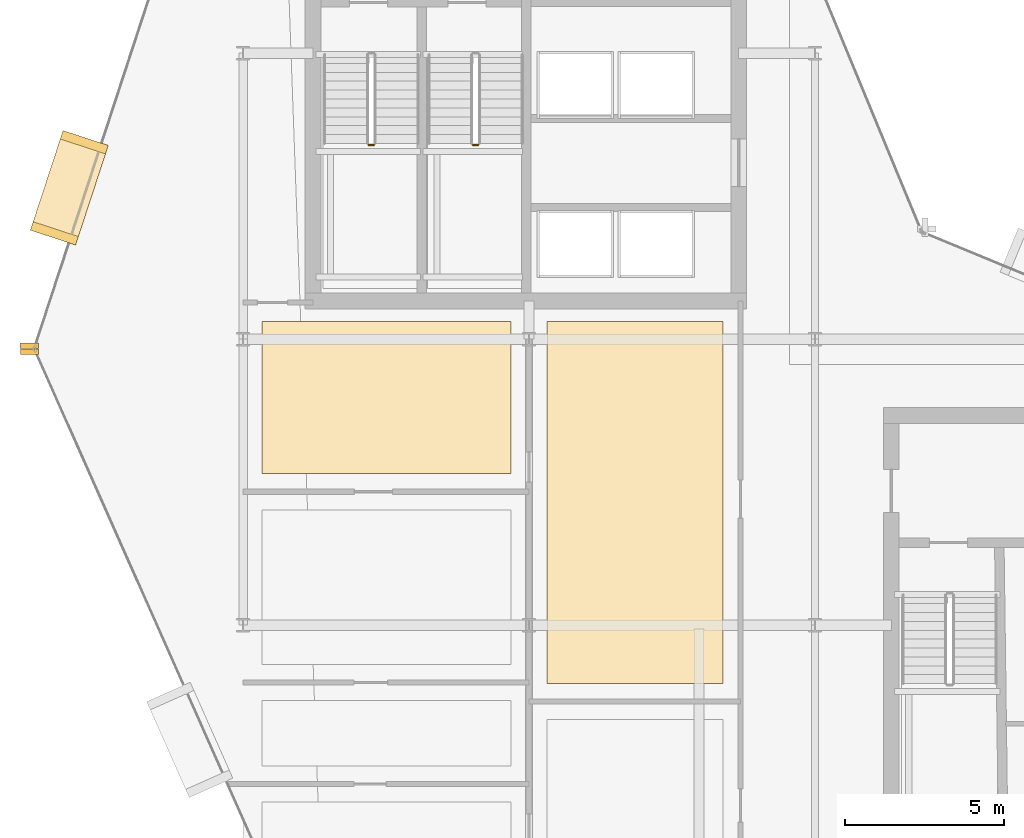
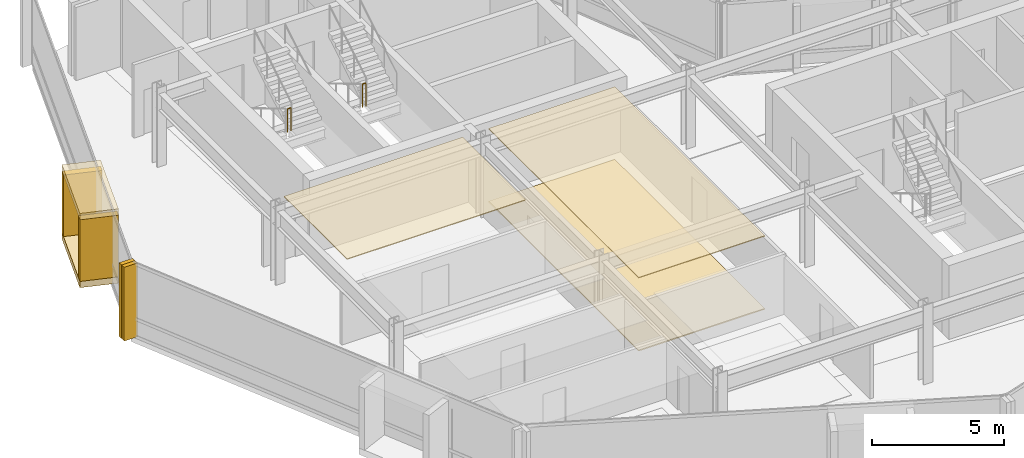
# One storey, part 23 of 27: 9 coverings, 2 railings.
"""IFC4 building model written with IfcOpenShell, lengths in metres."""

from ifc_helpers import new_model, si_unit, direction, frame, origin, origin_2d, place, context, subcontext, project, spatial, polyline, rectangle, circle, outline, extrude, material, layer, layer_set, type_object, element, save


model = new_model("IFC4")

# Units and contexts
model_context = context("Model", 3, precision=1e-05, world=origin(), true_north=direction((0.0, 1.0)))
body_context = subcontext(model_context, "Body", "Model", "MODEL_VIEW")
ifc_project = project(units=[si_unit("LENGTHUNIT", "METRE"), si_unit("AREAUNIT", "SQUARE_METRE"), si_unit("VOLUMEUNIT", "CUBIC_METRE"), si_unit("PLANEANGLEUNIT", "RADIAN"), si_unit("MASSUNIT", "GRAM", prefix="KILO")], contexts=[model_context])

# Site, building, storey
site_placement = place(None, origin())
site = spatial("IfcSite", under=ifc_project, at=site_placement, CompositionType="ELEMENT")
building_placement = place(site_placement, origin())
building = spatial("IfcBuilding", under=site, at=building_placement, Name="Solvaryn Broadcast Tower", CompositionType="ELEMENT")
storey_placement = place(building_placement, frame((0.0, 0.0, 185.300048828125)))
storey = spatial("IfcBuildingStorey", under=building, at=storey_placement, Name="L46", CompositionType="ELEMENT", Elevation=185.300048828125)

# Coverings
ifc_material_1 = material(Name="Micro-Perforated Acoustic Gypsum Ceiling", Category="concrete")
ifc_layer_1 = layer(ifc_material_1, 0.0400390625)
ifc_layer_set_1 = layer_set([ifc_layer_1], Name="CV-CEIL-ACOUSTIC")
covering_type_1 = type_object("IfcCoveringType", Name="CV-CEIL-ACOUSTIC", PredefinedType="CEILING", material=ifc_layer_set_1)
covering_1_placement = place(storey_placement, frame((0.0, 0.0, 3.3798828125)))
element("IfcCovering", 1, at=covering_1_placement, inside=storey, type_object=covering_type_1, Name="L46 Room Acoustic Ceiling 2", PredefinedType="CEILING", context=body_context, shape_type="SweptSolid", body=[
    extrude(outline(polyline([(18.570068359375, 16.169921875), (24.10009765625, 16.169921875), (24.10009765625, 27.56005859375), (18.570068359375, 27.56005859375), (18.570068359375, 16.169921875)])), origin(), (0.0, 0.0, 1.0), 0.0400390625),
])
covering_2_placement = place(storey_placement, frame((0.0, 0.0, 3.3798828125)))
element("IfcCovering", 2, at=covering_2_placement, inside=storey, type_object=covering_type_1, Name="L46 Room Acoustic Ceiling 6", PredefinedType="CEILING", context=body_context, shape_type="SweptSolid", body=[
    extrude(outline(polyline([(9.60009765625, 22.77001953125), (17.429931640625, 22.77001953125), (17.429931640625, 27.56005859375), (9.60009765625, 27.56005859375), (9.60009765625, 22.77001953125)])), origin(), (0.0, 0.0, 1.0), 0.0400390625),
])
ifc_material_2 = material(Name="Newsroom Raised Data Access Flooring", Category="steel")
ifc_layer_2 = layer(ifc_material_2, 0.050048828125)
ifc_layer_set_2 = layer_set([ifc_layer_2], Name="CV-FLOOR-RAISED")
covering_type_2 = type_object("IfcCoveringType", Name="CV-FLOOR-RAISED", PredefinedType="FLOORING", material=ifc_layer_set_2)
covering_3_placement = place(storey_placement, origin())
element("IfcCovering", 3, at=covering_3_placement, inside=storey, type_object=covering_type_2, Name="L46 Room Acoustic Floor Finish 2", PredefinedType="FLOORING", context=body_context, shape_type="SweptSolid", body=[
    extrude(outline(polyline([(18.570068359375, 16.169921875), (24.10009765625, 16.169921875), (24.10009765625, 27.56005859375), (18.570068359375, 27.56005859375), (18.570068359375, 16.169921875)])), origin(), (0.0, 0.0, 1.0), 0.050048828125),
])
ifc_material_3 = material(Name="Glazed Architectural Terracotta Rainscreen Cladding", Category="masonry")
ifc_layer_3 = layer(ifc_material_3, 0.280029296875)
ifc_layer_set_3 = layer_set([ifc_layer_3], Name="CV-TC-CLAD")
covering_type_3 = type_object("IfcCoveringType", Name="CV-TC-CLAD", PredefinedType="CLADDING", material=ifc_layer_set_3)
for number, where, z_axis, x_axis, name in (
    (4, (3.533935546875, 31.763916015625, 3.1298828125), (0.0, 0.0, 1.0), (-0.311505792684, -0.950244253402, 0.0), "L46 Projecting Stone Window Box Hood 1"),
    (5, (3.533935546875, 31.763916015625, -0.01025390625), (0.0, 0.0, 1.0), (-0.311505792684, -0.950244253402, 0.0), "L46 Projecting Stone Window Box Sill 1"),
):
    element("IfcCovering", number, at=place(storey_placement, frame(where, z_axis=z_axis, x_axis=x_axis)), inside=storey, type_object=covering_type_3, Name=name, PredefinedType="CLADDING", context=body_context, shape_type="SweptSolid", body=[
        extrude(rectangle(XDim=3.300048828125, YDim=1.5, at=origin_2d()), origin(), (0.0, 0.0, 1.0), 0.300048828125),
    ])
for number, where, z_axis, x_axis, name in (
    (6, (4.00439453125, 33.198974609375, 0.27978515625), (0.0, 0.0, 1.0), (-0.311505792684, -0.950244253402, 0.0), "L46 Projecting Stone Window Box Cheek 1-1"),
    (7, (3.063720703125, 30.3291015625, 0.27978515625), (0.0, 0.0, 1.0), (-0.311505792684, -0.950244253402, 0.0), "L46 Projecting Stone Window Box Cheek 1-2"),
):
    element("IfcCovering", number, at=place(storey_placement, frame(where, z_axis=z_axis, x_axis=x_axis)), inside=storey, type_object=covering_type_3, Name=name, PredefinedType="CLADDING", context=body_context, shape_type="SweptSolid", body=[
        extrude(rectangle(XDim=0.280029296875, YDim=1.5, at=origin_2d()), origin(), (0.0, 0.0, 1.0), 2.860107421875),
    ])
ifc_material_4 = material(Name="Extruded Architectural Terracotta Fin", Category="masonry")
ifc_layer_4 = layer(ifc_material_4, 0.179931640625)
ifc_layer_set_4 = layer_set([ifc_layer_4], Name="CV-TC-FIN")
covering_type_4 = type_object("IfcCoveringType", Name="CV-TC-FIN", PredefinedType="USERDEFINED", material=ifc_layer_set_4)
for number, where, z_axis, x_axis, name in (
    (8, (2.271240234375, 26.790771484375, 0.0), (0.0, 0.0, 1.0), (1.0, 0.0, 0.0), "L46 Terracotta Vertical Fin FIN-L46-DR1-M01"),
    (9, (2.281005859375, 26.605712890625, 0.0), (0.0, 0.0, 1.0), (1.0, 0.0, 0.0), "L46 Terracotta Vertical Fin FIN-L46-DR2-M00"),
):
    element("IfcCovering", number, at=place(storey_placement, frame(where, z_axis=z_axis, x_axis=x_axis)), inside=storey, type_object=covering_type_4, Name=name, ObjectType="FIN", PredefinedType="USERDEFINED", context=body_context, shape_type="SweptSolid", body=[
        extrude(rectangle(XDim=0.580078125, YDim=0.179931640625, at=origin_2d()), origin(), (0.0, 0.0, 1.0), 3.419921875),
    ])

# Railings
ifc_material_5 = material(Name="Painted Steel Stair Well Guard", Category="steel")
railing_type = type_object("IfcRailingType", Name="RL-STAIR-GUARD", PredefinedType="BALUSTRADE", material=ifc_material_5)
railing_1_placement = place(storey_placement, frame((12.9599609375, 33.110107421875, 1.849853515625)))
element("IfcRailing", 10, at=railing_1_placement, inside=storey, type_object=railing_type, Name="L46 ST1 stair guard 2", PredefinedType="BALUSTRADE", context=body_context, shape_type="SweptSolid", body=[
    extrude(circle(Radius=0.02392578125, at=origin_2d()), frame((0.0, 0.0, 1.076171875), z_axis=(1.0, 0.0, 0.0), x_axis=(0.0, 1.0, 0.0)), (0.0, 0.0, 1.0), 0.150146484375),
    extrude(circle(Radius=0.02099609375, at=origin_2d()), origin(), (0.0, 0.0, 1.0), 1.052001953125),
    extrude(circle(Radius=0.02099609375, at=origin_2d()), frame((0.150146484375, 0.0, 0.0)), (0.0, 0.0, 1.0), 1.052001953125),
])
railing_2_placement = place(storey_placement, frame((16.239990234375, 33.110107421875, 1.849853515625)))
element("IfcRailing", 11, at=railing_2_placement, inside=storey, type_object=railing_type, Name="L46 ST2 stair guard 2", PredefinedType="BALUSTRADE", context=body_context, shape_type="SweptSolid", body=[
    extrude(circle(Radius=0.02392578125, at=origin_2d()), frame((0.0, 0.0, 1.076171875), z_axis=(1.0, 0.0, 0.0), x_axis=(0.0, 1.0, 0.0)), (0.0, 0.0, 1.0), 0.14990234375),
    extrude(circle(Radius=0.02099609375, at=origin_2d()), origin(), (0.0, 0.0, 1.0), 1.052001953125),
    extrude(circle(Radius=0.02099609375, at=origin_2d()), frame((0.14990234375, 0.0, 0.0)), (0.0, 0.0, 1.0), 1.052001953125),
])

save(model, "model.ifc")
